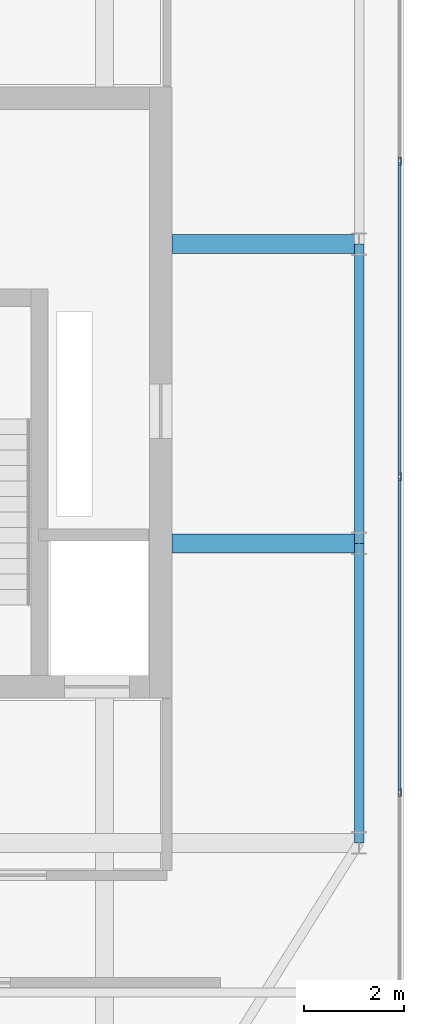
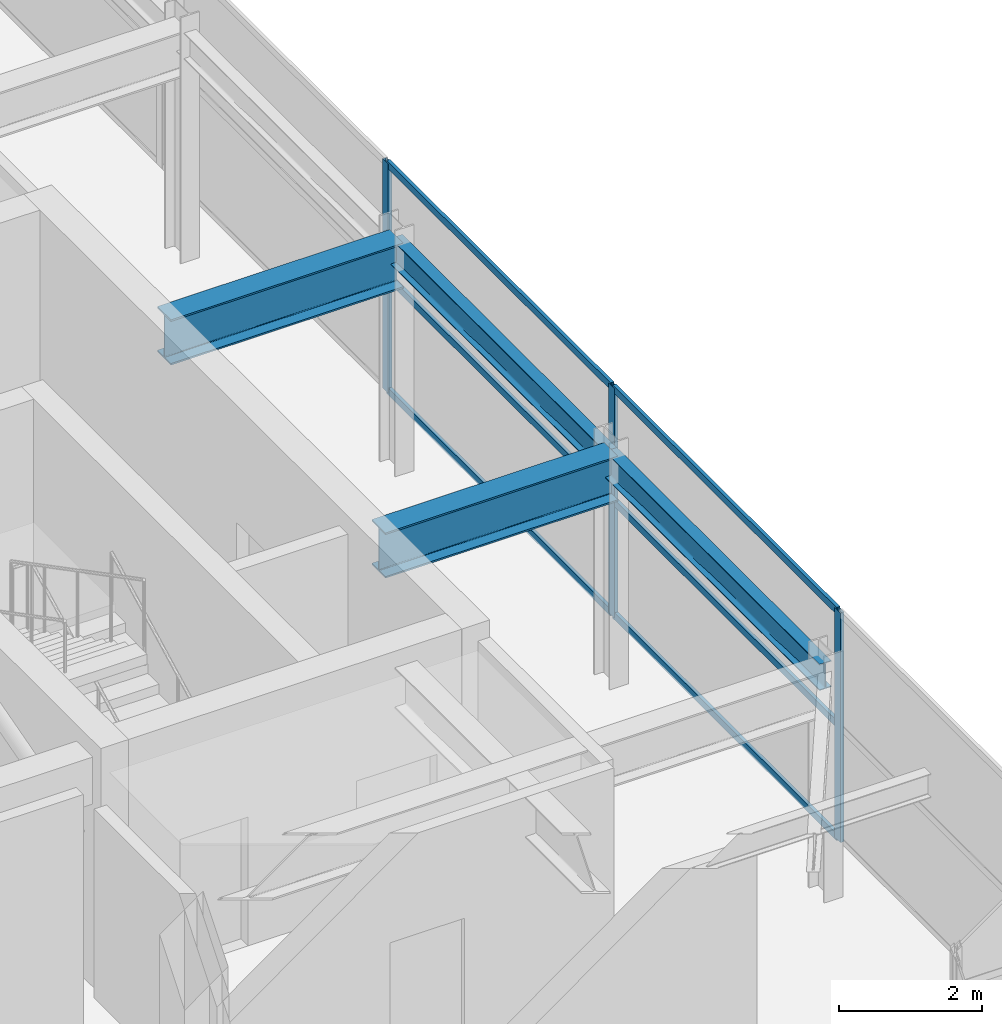
# One storey, part 17 of 32: 9 members, 4 beams, 1 element without a shape of its own.
"""IFC4 building model written with IfcOpenShell, lengths in metres."""

from ifc_helpers import new_model, si_unit, direction, frame, origin, origin_2d, place, context, subcontext, project, spatial, hollow_rectangle, i_section, extrude, source, transform, mapped, material, layer, layer_set, material_profile, profile_set, type_object, element, aggregate, save


model = new_model("IFC4")

# Units and contexts
model_context = context("Model", 3, precision=1e-05, world=origin(), true_north=direction((0.0, 1.0)))
body_context = subcontext(model_context, "Body", "Model", "MODEL_VIEW")
ifc_project = project(units=[si_unit("LENGTHUNIT", "METRE"), si_unit("AREAUNIT", "SQUARE_METRE"), si_unit("VOLUMEUNIT", "CUBIC_METRE"), si_unit("PLANEANGLEUNIT", "RADIAN"), si_unit("MASSUNIT", "GRAM", prefix="KILO")], contexts=[model_context])

# Site, building, storey
site_placement = place(None, origin())
site = spatial("IfcSite", under=ifc_project, at=site_placement, CompositionType="ELEMENT")
building_placement = place(site_placement, origin())
building = spatial("IfcBuilding", under=site, at=building_placement, Name="Khoralis Quay Care Tower", CompositionType="ELEMENT")
storey_placement = place(building_placement, frame((0.0, 0.0, 297.89990234375)))
storey = spatial("IfcBuildingStorey", under=building, at=storey_placement, Name="L78", CompositionType="ELEMENT", Elevation=297.89990234375)

# Beams
ifc_material_1 = material(Name="Steel S355", Category="steel")
ifc_material_profile_1 = material_profile(ifc_material_1, i_section(OverallWidth=0.18994140625, OverallDepth=0.449951171875, WebThickness=0.009521484375, FlangeThickness=0.0146484375, FilletRadius=0.02099609375, at=origin_2d()), Name="Steel S355")
ifc_profile_set_1 = profile_set([ifc_material_profile_1], Name="Steel S355")
beam_type_1 = type_object("IfcBeamType", Name="BM-IPE450", PredefinedType="SPANDREL", material=ifc_profile_set_1)
shared_shape_1 = source(origin(), body_context, "Body", "SweptSolid", [
    extrude(i_section(OverallWidth=0.18994140625, OverallDepth=0.449951171875, WebThickness=0.009521484375, FlangeThickness=0.0146484375, FilletRadius=0.02099609375, at=origin_2d()), origin(), (0.0, 0.0, 1.0), 6.0),
])
for number, where, z_axis, x_axis, name in (
    (1, (41.10009765625, 12.0, 3.695068359375), (0.0, 1.0, 0.0), (-1.0, 0.0, 0.0), "BM-TSP-L78-13"),
    (2, (41.10009765625, 18.0, 3.695068359375), (0.0, 1.0, 0.0), (-1.0, 0.0, 0.0), "BM-TSP-L78-14"),
):
    element("IfcBeam", number, at=place(storey_placement, frame(where, z_axis=z_axis, x_axis=x_axis)), inside=storey, type_object=beam_type_1, Name=name, PredefinedType="SPANDREL", context=body_context, shape_type="MappedRepresentation", body=[
        mapped(shared_shape_1, transform((0.0, 0.0, 0.0), scale=1.0)),
    ])
ifc_material_profile_2 = material_profile(ifc_material_1, i_section(OverallWidth=0.381103515625, OverallDepth=0.77294921875, WebThickness=0.0166015625, FlangeThickness=0.027587890625, FilletRadius=0.02197265625, at=origin_2d()), Name="Steel S355")
ifc_profile_set_2 = profile_set([ifc_material_profile_2], Name="Steel S355")
beam_type_2 = type_object("IfcBeamType", Name="BM-W760X257", PredefinedType="BEAM", material=ifc_profile_set_2)
shared_shape_2 = source(origin(), body_context, "Body", "SweptSolid", [
    extrude(i_section(OverallWidth=0.381103515625, OverallDepth=0.77294921875, WebThickness=0.0166015625, FlangeThickness=0.027587890625, FilletRadius=0.02197265625, at=origin_2d()), origin(), (0.0, 0.0, 1.0), 3.752197265625),
])
for number, where, z_axis, x_axis, name in (
    (3, (37.347900390625, 18.0, 3.53369140625), (1.0, 0.0, 0.0), (0.0, 1.0, 0.0), "BM-TGXE-L78-180"),
    (4, (37.347900390625, 24.0, 3.53369140625), (1.0, 0.0, 0.0), (0.0, 1.0, 0.0), "BM-TGXE-L78-240"),
):
    element("IfcBeam", number, at=place(storey_placement, frame(where, z_axis=z_axis, x_axis=x_axis)), inside=storey, type_object=beam_type_2, Name=name, PredefinedType="BEAM", context=body_context, shape_type="MappedRepresentation", body=[
        mapped(shared_shape_2, transform((0.0, 0.0, 0.0), scale=1.0)),
    ])

# Curtain wall, members
ifc_material_2 = material(Name="Pale anodised aluminium", Category="aluminium")
ifc_layer = layer(ifc_material_2, 0.199951171875)
ifc_layer_set = layer_set([ifc_layer], Name="Pale anodised aluminium")
curtain_wall_type = type_object("IfcCurtainWallType", Name="CW-SYS-LANTERN", PredefinedType="NOTDEFINED", material=ifc_layer_set)
curtain_wall_placement = place(storey_placement, origin())
curtain_wall = element("IfcCurtainWall", 5, at=curtain_wall_placement, inside=storey, type_object=curtain_wall_type, Name="L78 Unitised Curtain Wall CW-LN-L78-06", PredefinedType="NOTDEFINED")
ifc_material_profile_3 = material_profile(ifc_material_2, hollow_rectangle(XDim=0.06005859375, YDim=0.159912109375, WallThickness=0.00390625, at=origin_2d()), Name="Pale anodised aluminium")
ifc_profile_set_3 = profile_set([ifc_material_profile_3], Name="Pale anodised aluminium")
member_type_1 = type_object("IfcMemberType", Name="CW-MUL-160", PredefinedType="MULLION", material=ifc_profile_set_3)
shared_shape_3 = source(origin(), body_context, "Body", "SweptSolid", [
    extrude(hollow_rectangle(XDim=0.06005859375, YDim=0.159912109375, WallThickness=0.00390625, at=origin_2d()), origin(), (0.0, 0.0, 1.0), 3.920166015625),
])
member_1_placement = place(storey_placement, frame((41.909912109375, 13.013916015625, 0.0), z_axis=(0.0, 0.0, 1.0), x_axis=(-1.0, 0.0, 0.0)))
member_1 = element("IfcMember", 6, at=member_1_placement, type_object=member_type_1, Name="CW5 mullion 2", PredefinedType="MULLION", context=body_context, shape_type="MappedRepresentation", body=[
    mapped(shared_shape_3, transform((0.0, 0.0, 0.0), scale=1.0)),
])
member_2_placement = place(storey_placement, frame((41.909912109375, 19.337890625, 0.0), z_axis=(0.0, 0.0, 1.0), x_axis=(-1.0, 0.0, 0.0)))
member_2 = element("IfcMember", 7, at=member_2_placement, type_object=member_type_1, Name="CW5 mullion 3", PredefinedType="MULLION", context=body_context, shape_type="MappedRepresentation", body=[
    mapped(shared_shape_3, transform((0.0, 0.0, 0.0), scale=1.0)),
])
member_3_placement = place(storey_placement, frame((41.909912109375, 25.662109375, 0.0), z_axis=(0.0, 0.0, 1.0), x_axis=(-1.0, 0.0, 0.0)))
member_3 = element("IfcMember", 8, at=member_3_placement, type_object=member_type_1, Name="CW5 mullion 4", PredefinedType="MULLION", context=body_context, shape_type="MappedRepresentation", body=[
    mapped(shared_shape_3, transform((0.0, 0.0, 0.0), scale=1.0)),
])
ifc_material_profile_4 = material_profile(ifc_material_2, hollow_rectangle(XDim=0.054931640625, YDim=0.1201171875, WallThickness=0.00390625, at=origin_2d()), Name="Pale anodised aluminium")
ifc_profile_set_4 = profile_set([ifc_material_profile_4], Name="Pale anodised aluminium")
member_type_2 = type_object("IfcMemberType", Name="CW-TRN-120", PredefinedType="USERDEFINED", material=ifc_profile_set_4)
shared_shape_4 = source(origin(), body_context, "Body", "SweptSolid", [
    extrude(hollow_rectangle(XDim=0.054931640625, YDim=0.1201171875, WallThickness=0.00390625, at=origin_2d()), origin(), (0.0, 0.0, 1.0), 6.26416015625),
])
member_4_placement = place(storey_placement, frame((41.909912109375, 13.0439453125, 0.030029296875), z_axis=(0.0, 1.0, 0.0), x_axis=(-1.0, 0.0, 0.0)))
member_4 = element("IfcMember", 9, at=member_4_placement, type_object=member_type_2, Name="CW5 transom 2.1", ObjectType="TRANSOM", PredefinedType="USERDEFINED", context=body_context, shape_type="MappedRepresentation", body=[
    mapped(shared_shape_4, transform((0.0, 0.0, 0.0), scale=1.0)),
])
member_5_placement = place(storey_placement, frame((41.909912109375, 13.0439453125, 1.960205078125), z_axis=(0.0, 1.0, 0.0), x_axis=(-1.0, 0.0, 0.0)))
member_5 = element("IfcMember", 10, at=member_5_placement, type_object=member_type_2, Name="CW5 transom 2.2", ObjectType="TRANSOM", PredefinedType="USERDEFINED", context=body_context, shape_type="MappedRepresentation", body=[
    mapped(shared_shape_4, transform((0.0, 0.0, 0.0), scale=1.0)),
])
member_6_placement = place(storey_placement, frame((41.909912109375, 13.0439453125, 3.89013671875), z_axis=(0.0, 1.0, 0.0), x_axis=(-1.0, 0.0, 0.0)))
member_6 = element("IfcMember", 11, at=member_6_placement, type_object=member_type_2, Name="CW5 transom 2.3", ObjectType="TRANSOM", PredefinedType="USERDEFINED", context=body_context, shape_type="MappedRepresentation", body=[
    mapped(shared_shape_4, transform((0.0, 0.0, 0.0), scale=1.0)),
])
member_7_placement = place(storey_placement, frame((41.909912109375, 19.367919921875, 0.030029296875), z_axis=(0.0, 1.0, 0.0), x_axis=(-1.0, 0.0, 0.0)))
member_7 = element("IfcMember", 12, at=member_7_placement, type_object=member_type_2, Name="CW5 transom 3.1", ObjectType="TRANSOM", PredefinedType="USERDEFINED", context=body_context, shape_type="MappedRepresentation", body=[
    mapped(shared_shape_4, transform((0.0, 0.0, 0.0), scale=1.0)),
])
member_8_placement = place(storey_placement, frame((41.909912109375, 19.367919921875, 1.960205078125), z_axis=(0.0, 1.0, 0.0), x_axis=(-1.0, 0.0, 0.0)))
member_8 = element("IfcMember", 13, at=member_8_placement, type_object=member_type_2, Name="CW5 transom 3.2", ObjectType="TRANSOM", PredefinedType="USERDEFINED", context=body_context, shape_type="MappedRepresentation", body=[
    mapped(shared_shape_4, transform((0.0, 0.0, 0.0), scale=1.0)),
])
member_9_placement = place(storey_placement, frame((41.909912109375, 19.367919921875, 3.89013671875), z_axis=(0.0, 1.0, 0.0), x_axis=(-1.0, 0.0, 0.0)))
member_9 = element("IfcMember", 14, at=member_9_placement, type_object=member_type_2, Name="CW5 transom 3.3", ObjectType="TRANSOM", PredefinedType="USERDEFINED", context=body_context, shape_type="MappedRepresentation", body=[
    mapped(shared_shape_4, transform((0.0, 0.0, 0.0), scale=1.0)),
])
aggregate(curtain_wall, [member_1, member_2, member_3, member_4, member_5, member_6, member_7, member_8, member_9])

save(model, "model.ifc")
